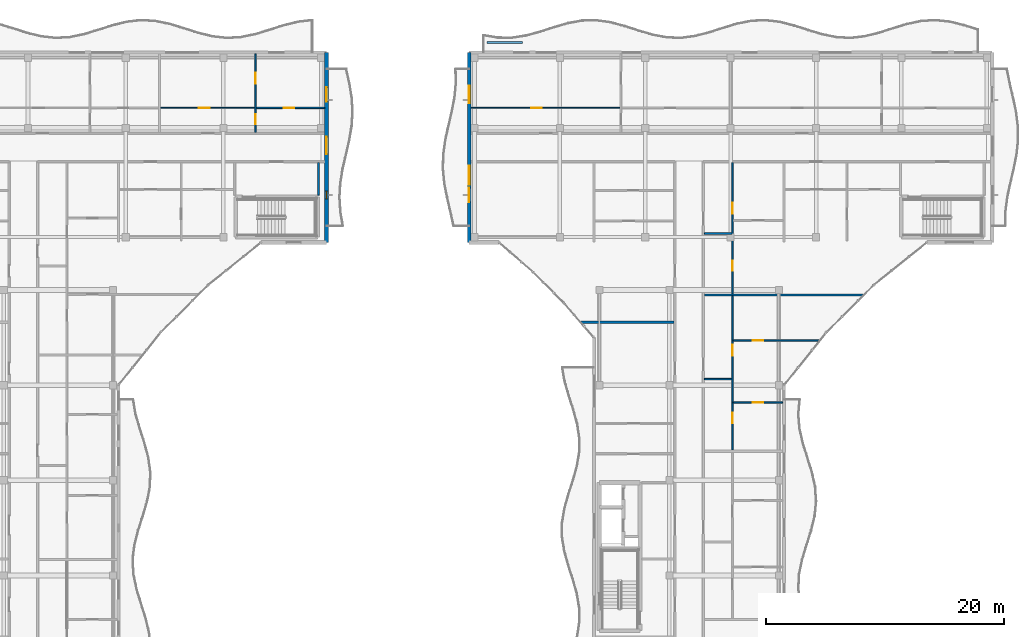
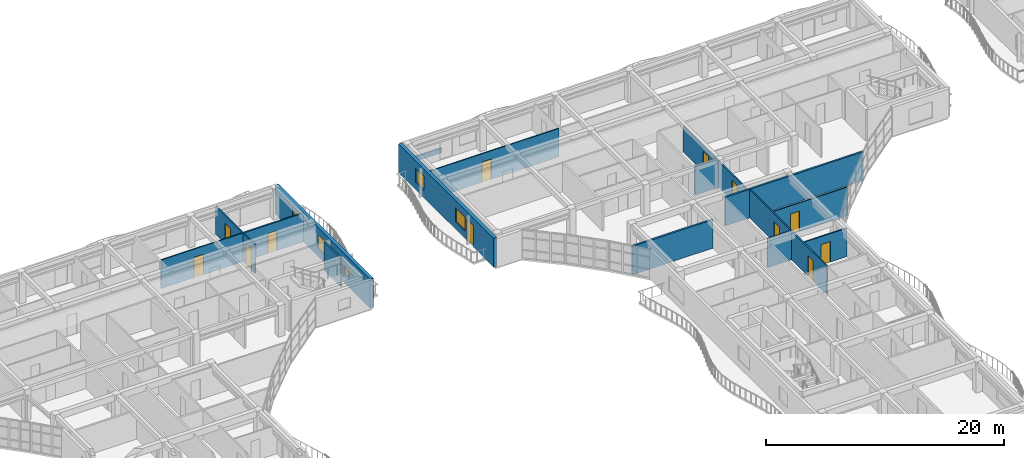
# One storey, part 40 of 76: 16 walls, 13 doors, 4 windows, 17 openings.
"""IFC4 building model written with IfcOpenShell, lengths in metres."""

import ifcopenshell
import ifcopenshell.guid

model = None  # the IFC model being written
_history = None  # IfcOwnerHistory: only IFC2X3 demands one
_inside = {}  # id of a spatial element -> (the spatial element, [elements in it])
_under = {}  # id of a project, library or spatial element -> (it, [spatial elements below it])
_declared = {}  # id of a project -> (the project, [libraries it declares])
_typed = {}  # id of a type object -> (the type object, [elements of that type])
_made_of = {}  # id of a material, layer set ... -> (it, [elements and type objects made of it])


def new_model(schema):
    """Start an empty IFC model of exactly this schema.

    Asked for "IFC4X3", IfcOpenShell would pick the latest addendum, in which some entities
    have other attributes; the version numbers below select the first issue.
    IFC2X3 requires an IfcOwnerHistory on every rooted entity: one is made here for all.
    """
    global model, _history
    if schema == "IFC4X3":
        model = ifcopenshell.file(schema_version=(4, 3, 0, 0))
    else:
        model = ifcopenshell.file(schema=schema)
    _inside.clear()
    _under.clear()
    _declared.clear()
    _typed.clear()
    _made_of.clear()
    _history = None
    if model.schema == "IFC2X3":
        org = make("IfcOrganization", Name="unknown")
        user = make(
            "IfcPersonAndOrganization",
            ThePerson=make("IfcPerson", FamilyName="unknown"),
            TheOrganization=org,
        )
        app = make(
            "IfcApplication",
            ApplicationDeveloper=org,
            Version="unknown",
            ApplicationFullName="unknown",
            ApplicationIdentifier="unknown",
        )
        _history = make(
            "IfcOwnerHistory",
            OwningUser=user,
            OwningApplication=app,
            ChangeAction="ADDED",
            CreationDate=0,
        )
    return model


def make(cls, **values):
    """One entity of the class cls with the attributes given. An attribute that is None is left unset."""
    return model.create_entity(
        cls, **{name: value for name, value in values.items() if value is not None}
    )


def rooted(cls, **values):
    """An entity with a GlobalId (a new one), such as an element, a storey or a relation."""
    return make(cls, GlobalId=ifcopenshell.guid.new(), OwnerHistory=_history, **values)


def si_unit(unit_type, name, prefix=None):
    """IfcSIUnit, for example si_unit("LENGTHUNIT", "METRE", prefix="MILLI")."""
    return make("IfcSIUnit", UnitType=unit_type, Prefix=prefix, Name=name)


def assignment(units):
    """IfcUnitAssignment: the units of a project."""
    return None if units is None else make("IfcUnitAssignment", Units=units)


def point(xyz):
    """IfcCartesianPoint."""
    return None if xyz is None else make("IfcCartesianPoint", Coordinates=xyz)


def direction(xyz):
    """IfcDirection."""
    return None if xyz is None else make("IfcDirection", DirectionRatios=xyz)


def frame(location, z_axis=None, x_axis=None):
    """IfcAxis2Placement3D, a coordinate frame: its origin and axes. An axis left out is left unset."""
    return make(
        "IfcAxis2Placement3D",
        Location=point(location),
        Axis=direction(z_axis),
        RefDirection=direction(x_axis),
    )


def frame_2d(location, x_axis=None):
    """IfcAxis2Placement2D, a coordinate frame in the plane: its origin and x axis."""
    return make(
        "IfcAxis2Placement2D", Location=point(location), RefDirection=direction(x_axis)
    )


def origin():
    """The frame at (0, 0, 0) with its axes left unset."""
    return frame((0.0, 0.0, 0.0))


def place(relative_to, where):
    """IfcLocalPlacement: puts the frame where relative to a parent placement (None: the world)."""
    return make(
        "IfcLocalPlacement", PlacementRelTo=relative_to, RelativePlacement=where
    )


def context(
    kind, dimensions, precision=None, world=None, true_north=None, identifier=None
):
    """IfcGeometricRepresentationContext, for example the 3D "Model" context."""
    return make(
        "IfcGeometricRepresentationContext",
        ContextIdentifier=identifier,
        ContextType=kind,
        CoordinateSpaceDimension=dimensions,
        Precision=precision,
        WorldCoordinateSystem=world,
        TrueNorth=true_north,
    )


def subcontext(parent, identifier, kind, view, scale=None):
    """IfcGeometricRepresentationSubContext, for example "Body" below "Model"."""
    return make(
        "IfcGeometricRepresentationSubContext",
        ContextIdentifier=identifier,
        ContextType=kind,
        ParentContext=parent,
        TargetScale=scale,
        TargetView=view,
    )


def project(units=None, contexts=None):
    """IfcProject with its units and contexts."""
    return rooted(
        "IfcProject",
        Name="project",
        RepresentationContexts=contexts,
        UnitsInContext=assignment(units),
    )


def spatial(cls, under=None, at=None, **own):
    """A site, building, storey or space (cls), placed at a placement, below another one or the project."""
    s = rooted(cls, ObjectPlacement=at, **own)
    if under is not None:
        _under.setdefault(under.id(), (under, []))[1].append(s)
    return s


def profile(cls, at=None, kind="AREA", **sizes):
    """A parametric profile (cls). Its sizes go by their IFC names, for example OverallWidth=200.0."""
    return make(cls, ProfileType=kind, Position=at, **sizes)


def rectangle(**sizes):
    """IfcRectangleProfileDef."""
    return profile("IfcRectangleProfileDef", **sizes)


def extrude(swept, where, along, depth):
    """IfcExtrudedAreaSolid: the profile swept, set in the frame where, extruded along a direction by depth."""
    return make(
        "IfcExtrudedAreaSolid",
        SweptArea=swept,
        Position=where,
        ExtrudedDirection=direction(along),
        Depth=depth,
    )


def shape(context_of_items, identifier, shape_type, items):
    """IfcShapeRepresentation: the items that make up one representation, for example the "Body"."""
    return make(
        "IfcShapeRepresentation",
        ContextOfItems=context_of_items,
        RepresentationIdentifier=identifier,
        RepresentationType=shape_type,
        Items=items,
    )


def material(Name=None, Category=None):
    """IfcMaterial."""
    return make("IfcMaterial", Name=Name, Category=Category)


def layer(
    of_material, thickness, ventilated=None, Name=None, Category=None, Priority=None
):
    """IfcMaterialLayer: one layer of a wall or slab, of a material (None: an air gap)."""
    return make(
        "IfcMaterialLayer",
        Material=of_material,
        LayerThickness=thickness,
        IsVentilated=ventilated,
        Name=Name,
        Category=Category,
        Priority=Priority,
    )


def layer_set(layers, Name=None):
    """IfcMaterialLayerSet."""
    return make("IfcMaterialLayerSet", MaterialLayers=layers, LayerSetName=Name)


def made_of(thing, what):
    """Note that an element or type object is made of a material, layer set ...; save() writes the relation."""
    if what is not None:
        _made_of.setdefault(what.id(), (what, []))[1].append(thing)
    return thing


def type_object(cls, material=None, **own):
    """A type object (cls), such as IfcWallType, which elements share."""
    return made_of(rooted(cls, **own), material)


def element(
    cls,
    number,
    at=None,
    inside=None,
    cuts=None,
    type_object=None,
    material=None,
    context=None,
    identifier="Body",
    shape_type=None,
    held_by="IfcProductDefinitionShape",
    body=None,
    shapes=None,
    **own,
):
    """One element of the class cls, such as IfcWall. Its Tag is "e" and its number.

    at: its placement. inside: the storey or other place that contains it. cuts: it is an
    opening in that element (IfcRelVoidsElement). A single representation is given by context,
    identifier, shape_type and body (its items); several are given by shapes. held_by: the class
    of the entity that holds the representations. save() writes the other relations.
    """
    e = rooted(cls, Tag="e%d" % number, ObjectPlacement=at, **own)
    if body is not None:
        shapes = [shape(context, identifier, shape_type, body)]
    if shapes is not None:
        e.Representation = make(held_by, Representations=shapes)
    if inside is not None:
        _inside.setdefault(inside.id(), (inside, []))[1].append(e)
    if cuts is not None:
        rooted(
            "IfcRelVoidsElement", RelatingBuildingElement=cuts, RelatedOpeningElement=e
        )
    if type_object is not None:
        _typed.setdefault(type_object.id(), (type_object, []))[1].append(e)
    return made_of(e, material)


def fill(opening, filler):
    """IfcRelFillsElement: the door or window that sits in an opening."""
    return rooted(
        "IfcRelFillsElement",
        RelatingOpeningElement=opening,
        RelatedBuildingElement=filler,
    )


def aggregate(whole, parts):
    """IfcRelAggregates: a whole, such as a stair, and the parts it consists of."""
    return rooted("IfcRelAggregates", RelatingObject=whole, RelatedObjects=parts)


def save(model, path):
    """Write the relations noted so far, then the file.

    IfcRelAggregates (storeys below a building ...), IfcRelContainedInSpatialStructure (elements
    in a storey), IfcRelDefinesByType, IfcRelAssociatesMaterial and IfcRelDeclares: one each for
    every whole, place, type object, material and project.
    """
    for whole, parts in _under.values():
        aggregate(whole, parts)
    for where, things in _inside.values():
        rooted(
            "IfcRelContainedInSpatialStructure",
            RelatedElements=things,
            RelatingStructure=where,
        )
    for kind, things in _typed.values():
        rooted("IfcRelDefinesByType", RelatedObjects=things, RelatingType=kind)
    for what, things in _made_of.values():
        rooted("IfcRelAssociatesMaterial", RelatedObjects=things, RelatingMaterial=what)
    for by, libraries in _declared.values():
        rooted("IfcRelDeclares", RelatingContext=by, RelatedDefinitions=libraries)
    model.write(path)


model = new_model("IFC4")

# Units and contexts
model_context = context("Model", 3, precision=1e-05, world=origin(), true_north=direction((0.0, 1.0)))
body_context = subcontext(model_context, "Body", "Model", "MODEL_VIEW")
ifc_project = project(units=[si_unit("LENGTHUNIT", "METRE"), si_unit("AREAUNIT", "SQUARE_METRE"), si_unit("VOLUMEUNIT", "CUBIC_METRE"), si_unit("PLANEANGLEUNIT", "RADIAN"), si_unit("MASSUNIT", "GRAM", prefix="KILO")], contexts=[model_context])

# Site, building, storey
site_placement = place(None, origin())
site = spatial("IfcSite", under=ifc_project, at=site_placement, CompositionType="ELEMENT")
building_placement = place(site_placement, origin())
building = spatial("IfcBuilding", under=site, at=building_placement, Name="Keldmere Railside Commons", CompositionType="ELEMENT")
storey_placement = place(building_placement, frame((0.0, 0.0, 13.760009765625)))
storey = spatial("IfcBuildingStorey", under=building, at=storey_placement, Name="L04", CompositionType="ELEMENT", Elevation=13.760009765625)

# Walls
ifc_material_1 = material(Name="Acoustic Gypsum Board Partition", Category="gypsum")
ifc_layer_1 = layer(ifc_material_1, 0.179931640625, Name="Acoustic Demising Partition 180")
ifc_layer_set_1 = layer_set([ifc_layer_1], Name="Acoustic Gypsum Board Partition")
wall_type_1 = type_object("IfcWallType", Name="Acoustic Demising Partition 180", PredefinedType="PARTITIONING", material=ifc_layer_set_1)
wall_1_placement = place(storey_placement, frame((113.280029296875, 95.60009765625, 0.0), z_axis=(0.0, 0.0, 1.0), x_axis=(1.0, 0.0, 0.0)))
element("IfcWall", 1, at=wall_1_placement, inside=storey, type_object=wall_type_1, Name="IW-1 IW-L04-1065", PredefinedType="PARTITIONING", context=body_context, shape_type="SweptSolid", body=[
    extrude(rectangle(XDim=13.387451171875, YDim=0.179931640625, at=frame_2d((6.69384765625, 0.0))), origin(), (0.0, 0.0, 1.0), 2.93505859375),
])
wall_2_placement = place(storey_placement, frame((102.929443359375, 93.300048828125, 0.0), z_axis=(0.0, 0.0, 1.0), x_axis=(1.0, 0.0, 0.0)))
element("IfcWall", 2, at=wall_2_placement, inside=storey, type_object=wall_type_1, Name="IW-1 IW-L04-1087", PredefinedType="PARTITIONING", context=body_context, shape_type="SweptSolid", body=[
    extrude(rectangle(XDim=7.79052734375, YDim=0.179931640625, at=frame_2d((3.895263671875, 0.0))), origin(), (0.0, 0.0, 1.0), 2.93505859375),
])

# Wall, openings, doors
ifc_layer_2 = layer(ifc_material_1, 0.1201171875, Name="Apartment Interior Partition 120")
ifc_layer_set_2 = layer_set([ifc_layer_2], Name="Acoustic Gypsum Board Partition")
wall_type_2 = type_object("IfcWallType", Name="Apartment Interior Partition 120", PredefinedType="PARTITIONING", material=ifc_layer_set_2)
wall_3_placement = place(storey_placement, frame((75.5400390625, 109.280029296875, 0.0), z_axis=(0.0, 0.0, 1.0), x_axis=(0.0, 1.0, 0.0)))
wall_3 = element("IfcWall", 3, at=wall_3_placement, inside=storey, type_object=wall_type_2, Name="IW-4 IW-L04-0670", PredefinedType="PARTITIONING", context=body_context, shape_type="SweptSolid", body=[
    extrude(rectangle(XDim=6.599853515625, YDim=0.1201171875, at=frame_2d((3.2998046875, 0.0))), origin(), (0.0, 0.0, 1.0), 2.93505859375),
])
opening_1_placement = place(wall_3_placement, frame((0.656005859375, 0.0, 0.0)))
opening_1 = element("IfcOpeningElement", 4, at=opening_1_placement, cuts=wall_3, Name="Opening ID-04", PredefinedType="OPENING", context=body_context, shape_type="SweptSolid", body=[
    extrude(rectangle(XDim=0.860107421875, YDim=2.10009765625, at=frame_2d((0.43017578125, 1.050048828125))), frame((0.0, 0.070068359375, 0.0), z_axis=(0.0, -1.0, 0.0), x_axis=(1.0, 0.0, 0.0)), (0.0, 0.0, 1.0), 0.14013671875),
])
opening_2_placement = place(wall_3_placement, frame((4.097412109375, 0.0, 0.0)))
opening_2 = element("IfcOpeningElement", 5, at=opening_2_placement, cuts=wall_3, Name="Opening ID-01", PredefinedType="OPENING", context=body_context, shape_type="SweptSolid", body=[
    extrude(rectangle(XDim=0.89990234375, YDim=2.10009765625, at=frame_2d((0.449951171875, 1.050048828125))), frame((0.0, 0.070068359375, 0.0), z_axis=(0.0, -1.0, 0.0), x_axis=(1.0, 0.0, 0.0)), (0.0, 0.0, 1.0), 0.14013671875),
])
ifc_material_2 = material(Name="Engineered Oak Timber", Category="wood")
door_type_1 = type_object("IfcDoorType", Name="Apartment Bathroom Door 860x2100", OperationType="NOTDEFINED", PredefinedType="DOOR", material=ifc_material_2)
door_1_placement = place(opening_1_placement, origin())
door_1 = element("IfcDoor", 6, at=door_1_placement, inside=storey, type_object=door_type_1, Name="ID-04 IDR-L04-0561", OperationType="SINGLE_SWING_LEFT", OverallHeight=2.10009765625, OverallWidth=0.860107421875, PredefinedType="DOOR", context=body_context, shape_type="SweptSolid", body=[
    extrude(rectangle(XDim=0.860107421875, YDim=2.10009765625, at=frame_2d((0.43017578125, 1.050048828125))), frame((0.0, 0.02490234375, 0.0), z_axis=(0.0, -1.0, 0.0), x_axis=(1.0, 0.0, 0.0)), (0.0, 0.0, 1.0), 0.050048828125),
])
fill(opening_1, door_1)
door_type_2 = type_object("IfcDoorType", Name="Primary Bedroom Door 900x2100", OperationType="NOTDEFINED", PredefinedType="DOOR", material=ifc_material_2)
door_2_placement = place(opening_2_placement, origin())
door_2 = element("IfcDoor", 7, at=door_2_placement, inside=storey, type_object=door_type_2, Name="ID-01 IDR-L04-0562", OperationType="SINGLE_SWING_RIGHT", OverallHeight=2.10009765625, OverallWidth=0.89990234375, PredefinedType="DOOR", context=body_context, shape_type="SweptSolid", body=[
    extrude(rectangle(XDim=0.89990234375, YDim=2.10009765625, at=frame_2d((0.449951171875, 1.050048828125))), frame((0.0, 0.02490234375, 0.0), z_axis=(0.0, -1.0, 0.0), x_axis=(1.0, 0.0, 0.0)), (0.0, 0.0, 1.0), 0.050048828125),
])
fill(opening_2, door_2)

wall_4_placement = place(storey_placement, frame((115.659912109375, 82.5400390625, 0.0), z_axis=(0.0, 0.0, 1.0), x_axis=(0.0, 1.0, 0.0)))
wall_4 = element("IfcWall", 8, at=wall_4_placement, inside=storey, type_object=wall_type_2, Name="IW-4 IW-L04-1070", PredefinedType="PARTITIONING", context=body_context, shape_type="SweptSolid", body=[
    extrude(rectangle(XDim=12.969970703125, YDim=0.1201171875, at=frame_2d((6.48486328125, 0.0))), origin(), (0.0, 0.0, 1.0), 2.93505859375),
])
opening_3_placement = place(wall_4_placement, frame((2.2685546875, 0.0, 0.0)))
opening_3 = element("IfcOpeningElement", 9, at=opening_3_placement, cuts=wall_4, Name="Opening ID-04", PredefinedType="OPENING", context=body_context, shape_type="SweptSolid", body=[
    extrude(rectangle(XDim=0.860107421875, YDim=2.10009765625, at=frame_2d((0.43017578125, 1.050048828125))), frame((0.0, 0.070068359375, 0.0), z_axis=(0.0, -1.0, 0.0), x_axis=(1.0, 0.0, 0.0)), (0.0, 0.0, 1.0), 0.14013671875),
])
opening_4_placement = place(wall_4_placement, frame((7.929931640625, 0.0, 0.0)))
opening_4 = element("IfcOpeningElement", 10, at=opening_4_placement, cuts=wall_4, Name="Opening ID-03", PredefinedType="OPENING", context=body_context, shape_type="SweptSolid", body=[
    extrude(rectangle(XDim=0.919921875, YDim=2.10009765625, at=frame_2d((0.4599609375, 1.050048828125))), frame((0.0, 0.070068359375, 0.0), z_axis=(0.0, -1.0, 0.0), x_axis=(1.0, 0.0, 0.0)), (0.0, 0.0, 1.0), 0.14013671875),
])
door_3_placement = place(opening_3_placement, origin())
door_3 = element("IfcDoor", 11, at=door_3_placement, inside=storey, type_object=door_type_1, Name="ID-04 IDR-L04-0935", OperationType="SINGLE_SWING_LEFT", OverallHeight=2.10009765625, OverallWidth=0.860107421875, PredefinedType="DOOR", context=body_context, shape_type="SweptSolid", body=[
    extrude(rectangle(XDim=0.860107421875, YDim=2.10009765625, at=frame_2d((0.43017578125, 1.050048828125))), frame((0.0, 0.02490234375, 0.0), z_axis=(0.0, -1.0, 0.0), x_axis=(1.0, 0.0, 0.0)), (0.0, 0.0, 1.0), 0.050048828125),
])
fill(opening_3, door_3)
door_type_3 = type_object("IfcDoorType", Name="Kitchen Pocket-Frame Swing Door 920x2100", OperationType="NOTDEFINED", PredefinedType="DOOR", material=ifc_material_2)
door_4_placement = place(opening_4_placement, origin())
door_4 = element("IfcDoor", 12, at=door_4_placement, inside=storey, type_object=door_type_3, Name="ID-03 IDR-L04-0936", OperationType="SINGLE_SWING_RIGHT", OverallHeight=2.10009765625, OverallWidth=0.919921875, PredefinedType="DOOR", context=body_context, shape_type="SweptSolid", body=[
    extrude(rectangle(XDim=0.919921875, YDim=2.10009765625, at=frame_2d((0.4599609375, 1.050048828125))), frame((0.0, 0.02490234375, 0.0), z_axis=(0.0, -1.0, 0.0), x_axis=(1.0, 0.0, 0.0)), (0.0, 0.0, 1.0), 0.050048828125),
])
fill(opening_4, door_4)

# Wall, opening, door
wall_5_placement = place(storey_placement, frame((115.719970703125, 86.56005859375, 0.0), z_axis=(0.0, 0.0, 1.0), x_axis=(1.0, 0.0, 0.0)))
wall_5 = element("IfcWall", 13, at=wall_5_placement, inside=storey, type_object=wall_type_2, Name="IW-4 IW-L04-1072", PredefinedType="PARTITIONING", context=body_context, shape_type="SweptSolid", body=[
    extrude(rectangle(XDim=4.150146484375, YDim=0.1201171875, at=frame_2d((2.0751953125, 0.0))), origin(), (0.0, 0.0, 1.0), 2.93505859375),
])
opening_5_placement = place(wall_5_placement, frame((1.625, 0.0, 0.0)))
opening_5 = element("IfcOpeningElement", 14, at=opening_5_placement, cuts=wall_5, Name="Opening ID-01", PredefinedType="OPENING", context=body_context, shape_type="SweptSolid", body=[
    extrude(rectangle(XDim=0.89990234375, YDim=2.10009765625, at=frame_2d((0.449951171875, 1.050048828125))), frame((0.0, 0.070068359375, 0.0), z_axis=(0.0, -1.0, 0.0), x_axis=(1.0, 0.0, 0.0)), (0.0, 0.0, 1.0), 0.14013671875),
])
door_5_placement = place(opening_5_placement, origin())
door_5 = element("IfcDoor", 15, at=door_5_placement, inside=storey, type_object=door_type_2, Name="ID-01 IDR-L04-0938", OperationType="SINGLE_SWING_RIGHT", OverallHeight=2.10009765625, OverallWidth=0.89990234375, PredefinedType="DOOR", context=body_context, shape_type="SweptSolid", body=[
    extrude(rectangle(XDim=0.89990234375, YDim=2.10009765625, at=frame_2d((0.449951171875, 1.050048828125))), frame((0.0, 0.02490234375, 0.0), z_axis=(0.0, -1.0, 0.0), x_axis=(1.0, 0.0, 0.0)), (0.0, 0.0, 1.0), 0.050048828125),
])
fill(opening_5, door_5)

wall_6_placement = place(storey_placement, frame((115.719970703125, 91.75, 0.0), z_axis=(0.0, 0.0, 1.0), x_axis=(1.0, 0.0, 0.0)))
wall_6 = element("IfcWall", 16, at=wall_6_placement, inside=storey, type_object=wall_type_2, Name="IW-4 IW-L04-1073", PredefinedType="PARTITIONING", context=body_context, shape_type="SweptSolid", body=[
    extrude(rectangle(XDim=7.2373046875, YDim=0.1201171875, at=frame_2d((3.61865234375, 0.0))), origin(), (0.0, 0.0, 1.0), 2.93505859375),
])
opening_6_placement = place(wall_6_placement, frame((1.635009765625, 0.0, 0.0)))
opening_6 = element("IfcOpeningElement", 17, at=opening_6_placement, cuts=wall_6, Name="Opening ID-02", PredefinedType="OPENING", context=body_context, shape_type="SweptSolid", body=[
    extrude(rectangle(XDim=0.8798828125, YDim=2.10009765625, at=frame_2d((0.43994140625, 1.050048828125))), frame((0.0, 0.070068359375, 0.0), z_axis=(0.0, -1.0, 0.0), x_axis=(1.0, 0.0, 0.0)), (0.0, 0.0, 1.0), 0.14013671875),
])
door_type_4 = type_object("IfcDoorType", Name="Secondary Bedroom Door 880x2100", OperationType="NOTDEFINED", PredefinedType="DOOR", material=ifc_material_2)
door_6_placement = place(opening_6_placement, origin())
door_6 = element("IfcDoor", 18, at=door_6_placement, inside=storey, type_object=door_type_4, Name="ID-02 IDR-L04-0939", OperationType="SINGLE_SWING_LEFT", OverallHeight=2.10009765625, OverallWidth=0.8798828125, PredefinedType="DOOR", context=body_context, shape_type="SweptSolid", body=[
    extrude(rectangle(XDim=0.8798828125, YDim=2.10009765625, at=frame_2d((0.43994140625, 1.050048828125))), frame((0.0, 0.02490234375, 0.0), z_axis=(0.0, -1.0, 0.0), x_axis=(1.0, 0.0, 0.0)), (0.0, 0.0, 1.0), 0.050048828125),
])
fill(opening_6, door_6)

# Wall, openings, doors
wall_7_placement = place(storey_placement, frame((115.659912109375, 95.68994140625, 0.0), z_axis=(0.0, 0.0, 1.0), x_axis=(0.0, 1.0, 0.0)))
wall_7 = element("IfcWall", 19, at=wall_7_placement, inside=storey, type_object=wall_type_2, Name="IW-4 IW-L04-1074", PredefinedType="PARTITIONING", context=body_context, shape_type="SweptSolid", body=[
    extrude(rectangle(XDim=11.030029296875, YDim=0.1201171875, at=frame_2d((5.51513671875, 0.0))), origin(), (0.0, 0.0, 1.0), 2.679931640625),
])
opening_7_placement = place(wall_7_placement, frame((1.926513671875, 0.0, 0.0)))
opening_7 = element("IfcOpeningElement", 20, at=opening_7_placement, cuts=wall_7, Name="Opening ID-04", PredefinedType="OPENING", context=body_context, shape_type="SweptSolid", body=[
    extrude(rectangle(XDim=0.860107421875, YDim=2.10009765625, at=frame_2d((0.43017578125, 1.050048828125))), frame((0.0, 0.070068359375, 0.0), z_axis=(0.0, -1.0, 0.0), x_axis=(1.0, 0.0, 0.0)), (0.0, 0.0, 1.0), 0.14013671875),
])
opening_8_placement = place(wall_7_placement, frame((6.73876953125, 0.0, 0.0)))
opening_8 = element("IfcOpeningElement", 21, at=opening_8_placement, cuts=wall_7, Name="Opening ID-03", PredefinedType="OPENING", context=body_context, shape_type="SweptSolid", body=[
    extrude(rectangle(XDim=0.919921875, YDim=2.10009765625, at=frame_2d((0.4599609375, 1.050048828125))), frame((0.0, 0.070068359375, 0.0), z_axis=(0.0, -1.0, 0.0), x_axis=(1.0, 0.0, 0.0)), (0.0, 0.0, 1.0), 0.14013671875),
])
door_7_placement = place(opening_7_placement, origin())
door_7 = element("IfcDoor", 22, at=door_7_placement, inside=storey, type_object=door_type_1, Name="ID-04 IDR-L04-0940", OperationType="SINGLE_SWING_RIGHT", OverallHeight=2.10009765625, OverallWidth=0.860107421875, PredefinedType="DOOR", context=body_context, shape_type="SweptSolid", body=[
    extrude(rectangle(XDim=0.860107421875, YDim=2.10009765625, at=frame_2d((0.43017578125, 1.050048828125))), frame((0.0, 0.02490234375, 0.0), z_axis=(0.0, -1.0, 0.0), x_axis=(1.0, 0.0, 0.0)), (0.0, 0.0, 1.0), 0.050048828125),
])
fill(opening_7, door_7)
door_8_placement = place(opening_8_placement, origin())
door_8 = element("IfcDoor", 23, at=door_8_placement, inside=storey, type_object=door_type_3, Name="ID-03 IDR-L04-0941", OperationType="SINGLE_SWING_LEFT", OverallHeight=2.10009765625, OverallWidth=0.919921875, PredefinedType="DOOR", context=body_context, shape_type="SweptSolid", body=[
    extrude(rectangle(XDim=0.919921875, YDim=2.10009765625, at=frame_2d((0.4599609375, 1.050048828125))), frame((0.0, 0.02490234375, 0.0), z_axis=(0.0, -1.0, 0.0), x_axis=(1.0, 0.0, 0.0)), (0.0, 0.0, 1.0), 0.050048828125),
])
fill(opening_8, door_8)

# Wall
ifc_material_3 = material(Name="White Precast Concrete H-35 (C35/45)", Category="concrete")
ifc_layer_3 = layer(ifc_material_3, 0.169921875, Name="Balcony Planter Kerb Wall 170")
ifc_layer_set_3 = layer_set([ifc_layer_3], Name="White Precast Concrete H-35 (C35/45)")
wall_type_3 = type_object("IfcWallType", Name="Balcony Planter Kerb Wall 170", PredefinedType="PARAPET", material=ifc_layer_set_3)
wall_8_placement = place(storey_placement, frame((95.0, 116.85009765625, 0.0), z_axis=(0.0, 0.0, 1.0), x_axis=(1.0, 0.0, 0.0)))
element("IfcWall", 24, at=wall_8_placement, inside=storey, type_object=wall_type_3, Name="PW-2 PKBB-L04-0619", PredefinedType="PARAPET", context=body_context, shape_type="SweptSolid", body=[
    extrude(rectangle(XDim=3.0, YDim=0.169921875, at=frame_2d((1.5, 0.0))), origin(), (0.0, 0.0, 1.0), 0.449951171875),
])

# Wall, opening, door
ifc_layer_4 = layer(ifc_material_1, 0.10009765625, Name="Closet Light Partition 100")
ifc_layer_set_4 = layer_set([ifc_layer_4], Name="Acoustic Gypsum Board Partition")
wall_type_4 = type_object("IfcWallType", Name="Closet Light Partition 100", PredefinedType="PARTITIONING", material=ifc_layer_set_4)
wall_9_placement = place(storey_placement, frame((67.5400390625, 111.330078125, 0.0), z_axis=(0.0, 0.0, 1.0), x_axis=(1.0, 0.0, 0.0)))
wall_9 = element("IfcWall", 25, at=wall_9_placement, inside=storey, type_object=wall_type_4, Name="IW-6 IW-L04-0672", PredefinedType="PARTITIONING", context=body_context, shape_type="SweptSolid", body=[
    extrude(rectangle(XDim=7.93994140625, YDim=0.10009765625, at=frame_2d((3.969970703125, 0.0))), origin(), (0.0, 0.0, 1.0), 2.93505859375),
])
opening_9_placement = place(wall_9_placement, frame((3.199951171875, 0.0, 0.0)))
opening_9 = element("IfcOpeningElement", 26, at=opening_9_placement, cuts=wall_9, Name="Opening ID-03", PredefinedType="OPENING", context=body_context, shape_type="SweptSolid", body=[
    extrude(rectangle(XDim=0.919921875, YDim=2.10009765625, at=frame_2d((0.4599609375, 1.050048828125))), frame((0.0, 0.06005859375, 0.0), z_axis=(0.0, -1.0, 0.0), x_axis=(1.0, 0.0, 0.0)), (0.0, 0.0, 1.0), 0.1201171875),
])
door_9_placement = place(opening_9_placement, origin())
door_9 = element("IfcDoor", 27, at=door_9_placement, inside=storey, type_object=door_type_3, Name="ID-03 IDR-L04-0560", OperationType="SINGLE_SWING_RIGHT", OverallHeight=2.10009765625, OverallWidth=0.919921875, PredefinedType="DOOR", context=body_context, shape_type="SweptSolid", body=[
    extrude(rectangle(XDim=0.919921875, YDim=2.10009765625, at=frame_2d((0.4599609375, 1.050048828125))), frame((0.0, 0.02490234375, 0.0), z_axis=(0.0, -1.0, 0.0), x_axis=(1.0, 0.0, 0.0)), (0.0, 0.0, 1.0), 0.050048828125),
])
fill(opening_9, door_9)

wall_10_placement = place(storey_placement, frame((93.659912109375, 111.330078125, 0.0), z_axis=(0.0, 0.0, 1.0), x_axis=(1.0, 0.0, 0.0)))
wall_10 = element("IfcWall", 28, at=wall_10_placement, inside=storey, type_object=wall_type_4, Name="IW-6 IW-L04-1080", PredefinedType="PARTITIONING", context=body_context, shape_type="SweptSolid", body=[
    extrude(rectangle(XDim=12.550048828125, YDim=0.10009765625, at=frame_2d((6.27490234375, 0.0))), origin(), (0.0, 0.0, 1.0), 2.93505859375),
])
opening_10_placement = place(wall_10_placement, frame((5.0439453125, 0.0, 0.0)))
opening_10 = element("IfcOpeningElement", 29, at=opening_10_placement, cuts=wall_10, Name="Opening ID-03", PredefinedType="OPENING", context=body_context, shape_type="SweptSolid", body=[
    extrude(rectangle(XDim=0.919921875, YDim=2.10009765625, at=frame_2d((0.4599609375, 1.050048828125))), frame((0.0, 0.06005859375, 0.0), z_axis=(0.0, -1.0, 0.0), x_axis=(1.0, 0.0, 0.0)), (0.0, 0.0, 1.0), 0.1201171875),
])
door_10_placement = place(opening_10_placement, origin())
door_10 = element("IfcDoor", 30, at=door_10_placement, inside=storey, type_object=door_type_3, Name="ID-03 IDR-L04-0945", OperationType="SINGLE_SWING_LEFT", OverallHeight=2.10009765625, OverallWidth=0.919921875, PredefinedType="DOOR", context=body_context, shape_type="SweptSolid", body=[
    extrude(rectangle(XDim=0.919921875, YDim=2.10009765625, at=frame_2d((0.4599609375, 1.050048828125))), frame((0.0, 0.02490234375, 0.0), z_axis=(0.0, -1.0, 0.0), x_axis=(1.0, 0.0, 0.0)), (0.0, 0.0, 1.0), 0.050048828125),
])
fill(opening_10, door_10)

# Wall, openings, door, windows
ifc_material_4 = material(Name="Concrete H-35 (C35/45)", Category="concrete")
ifc_layer_5 = layer(ifc_material_4, 0.320068359375, Name="Exterior Shear Wall 320")
ifc_layer_set_5 = layer_set([ifc_layer_5], Name="Concrete H-35 (C35/45)")
wall_type_5 = type_object("IfcWallType", Name="Exterior Shear Wall 320", PredefinedType="SHEAR", material=ifc_layer_set_5)
wall_11_placement = place(storey_placement, frame((81.5, 116.0, 0.0), z_axis=(0.0, 0.0, 1.0), x_axis=(0.0, -1.0, 0.0)))
wall_11 = element("IfcWall", 31, at=wall_11_placement, inside=storey, type_object=wall_type_5, Name="ESW-2 EXTC-L04-0356", PredefinedType="SHEAR", context=body_context, shape_type="SweptSolid", body=[
    extrude(rectangle(XDim=16.0, YDim=0.320068359375, at=frame_2d((8.0, 0.0))), origin(), (0.0, 0.0, 1.0), 2.97998046875),
])
opening_11_placement = place(wall_11_placement, frame((2.949951171875, 0.0, 0.0)))
opening_11 = element("IfcOpeningElement", 32, at=opening_11_placement, cuts=wall_11, Name="Opening BD-01", PredefinedType="OPENING", context=body_context, shape_type="SweptSolid", body=[
    extrude(rectangle(XDim=1.199951171875, YDim=2.199951171875, at=frame_2d((0.60009765625, 1.10009765625))), frame((0.0, 0.169921875, 0.0), z_axis=(0.0, -1.0, 0.0), x_axis=(1.0, 0.0, 0.0)), (0.0, 0.0, 1.0), 0.340087890625),
])
opening_12_placement = place(wall_11_placement, frame((7.10009765625, 0.0, 0.77001953125)))
opening_12 = element("IfcOpeningElement", 33, at=opening_12_placement, cuts=wall_11, Name="Opening WN-24", PredefinedType="OPENING", context=body_context, shape_type="SweptSolid", body=[
    extrude(rectangle(XDim=1.449951171875, YDim=1.449951171875, at=frame_2d((0.72509765625, 0.72509765625))), frame((0.0, 0.169921875, 0.0), z_axis=(0.0, -1.0, 0.0), x_axis=(1.0, 0.0, 0.0)), (0.0, 0.0, 1.0), 0.340087890625),
])
opening_13_placement = place(wall_11_placement, frame((11.675048828125, 0.0, 0.89990234375)))
opening_13 = element("IfcOpeningElement", 34, at=opening_13_placement, cuts=wall_11, Name="Opening WN-15", PredefinedType="OPENING", context=body_context, shape_type="SweptSolid", body=[
    extrude(rectangle(XDim=0.64990234375, YDim=0.949951171875, at=frame_2d((0.324951171875, 0.47509765625))), frame((0.0, 0.169921875, 0.0), z_axis=(0.0, -1.0, 0.0), x_axis=(1.0, 0.0, 0.0)), (0.0, 0.0, 1.0), 0.340087890625),
])
ifc_material_5 = material(Name="Thermally Broken Aluminium", Category="aluminium")
door_type_5 = type_object("IfcDoorType", Name="Apartment Living Wave-Balcony Glazed Door 1200x2200", OperationType="NOTDEFINED", PredefinedType="DOOR", material=ifc_material_5)
door_11_placement = place(opening_11_placement, origin())
door_11 = element("IfcDoor", 35, at=door_11_placement, inside=storey, type_object=door_type_5, Name="BD-01 DR-L04-0079", OperationType="SINGLE_SWING_LEFT", OverallHeight=2.199951171875, OverallWidth=1.199951171875, PredefinedType="DOOR", context=body_context, shape_type="SweptSolid", body=[
    extrude(rectangle(XDim=1.199951171875, YDim=2.199951171875, at=frame_2d((0.60009765625, 1.10009765625))), frame((0.0, 0.02490234375, 0.0), z_axis=(0.0, -1.0, 0.0), x_axis=(1.0, 0.0, 0.0)), (0.0, 0.0, 1.0), 0.050048828125),
])
fill(opening_11, door_11)
ifc_material_6 = material(Name="Low-E Insulated Double Glazing", Category="glass")
window_type_1 = type_object("IfcWindowType", Name="Exterior Bathroom Frosted Window 650x950", PartitioningType="SINGLE_PANEL", PredefinedType="WINDOW", material=ifc_material_6)
window_1_placement = place(opening_13_placement, origin())
window_1 = element("IfcWindow", 36, at=window_1_placement, inside=storey, type_object=window_type_1, Name="WN-15 WIN-L04-0236", OverallHeight=0.949951171875, OverallWidth=0.64990234375, PartitioningType="SINGLE_PANEL", PredefinedType="WINDOW", context=body_context, shape_type="SweptSolid", body=[
    extrude(rectangle(XDim=0.64990234375, YDim=0.949951171875, at=frame_2d((0.324951171875, 0.47509765625))), frame((0.0, 0.030029296875, 0.0), z_axis=(0.0, -1.0, 0.0), x_axis=(1.0, 0.0, 0.0)), (0.0, 0.0, 1.0), 0.06005859375),
])
fill(opening_13, window_1)
window_type_2 = type_object("IfcWindowType", Name="Setback Terrace Bedroom Window 1450x1450", PartitioningType="SINGLE_PANEL", PredefinedType="WINDOW", material=ifc_material_6)
window_2_placement = place(opening_12_placement, origin())
window_2 = element("IfcWindow", 37, at=window_2_placement, inside=storey, type_object=window_type_2, Name="WN-24 WIN-L04-0235", OverallHeight=1.449951171875, OverallWidth=1.449951171875, PartitioningType="SINGLE_PANEL", PredefinedType="WINDOW", context=body_context, shape_type="SweptSolid", body=[
    extrude(rectangle(XDim=1.449951171875, YDim=1.449951171875, at=frame_2d((0.72509765625, 0.72509765625))), frame((0.0, 0.030029296875, 0.0), z_axis=(0.0, -1.0, 0.0), x_axis=(1.0, 0.0, 0.0)), (0.0, 0.0, 1.0), 0.06005859375),
])
fill(opening_12, window_2)

wall_12_placement = place(storey_placement, frame((93.5, 100.0, 0.0), z_axis=(0.0, 0.0, 1.0), x_axis=(0.0, 1.0, 0.0)))
wall_12 = element("IfcWall", 38, at=wall_12_placement, inside=storey, type_object=wall_type_5, Name="ESW-2 EXTB-L04-0616", PredefinedType="SHEAR", context=body_context, shape_type="SweptSolid", body=[
    extrude(rectangle(XDim=16.0, YDim=0.320068359375, at=frame_2d((8.0, 0.0))), origin(), (0.0, 0.0, 1.0), 2.97998046875),
])
opening_14_placement = place(wall_12_placement, frame((3.39990234375, 0.0, 0.0)))
opening_14 = element("IfcOpeningElement", 39, at=opening_14_placement, cuts=wall_12, Name="Opening BD-01", PredefinedType="OPENING", context=body_context, shape_type="SweptSolid", body=[
    extrude(rectangle(XDim=1.199951171875, YDim=2.199951171875, at=frame_2d((0.60009765625, 1.10009765625))), frame((0.0, 0.169921875, 0.0), z_axis=(0.0, -1.0, 0.0), x_axis=(1.0, 0.0, 0.0)), (0.0, 0.0, 1.0), 0.340087890625),
])
opening_15_placement = place(wall_12_placement, frame((4.85009765625, 0.0, 0.77001953125)))
opening_15 = element("IfcOpeningElement", 40, at=opening_15_placement, cuts=wall_12, Name="Opening WN-04", PredefinedType="OPENING", context=body_context, shape_type="SweptSolid", body=[
    extrude(rectangle(XDim=1.60009765625, YDim=1.449951171875, at=frame_2d((0.800048828125, 0.72509765625))), frame((0.0, 0.169921875, 0.0), z_axis=(0.0, -1.0, 0.0), x_axis=(1.0, 0.0, 0.0)), (0.0, 0.0, 1.0), 0.340087890625),
])
opening_16_placement = place(wall_12_placement, frame((11.72509765625, 0.0, 0.77001953125)))
opening_16 = element("IfcOpeningElement", 41, at=opening_16_placement, cuts=wall_12, Name="Opening WN-24", PredefinedType="OPENING", context=body_context, shape_type="SweptSolid", body=[
    extrude(rectangle(XDim=1.449951171875, YDim=1.449951171875, at=frame_2d((0.72509765625, 0.72509765625))), frame((0.0, 0.169921875, 0.0), z_axis=(0.0, -1.0, 0.0), x_axis=(1.0, 0.0, 0.0)), (0.0, 0.0, 1.0), 0.340087890625),
])
door_12_placement = place(opening_14_placement, origin())
door_12 = element("IfcDoor", 42, at=door_12_placement, inside=storey, type_object=door_type_5, Name="BD-01 DR-L04-0158", OperationType="SINGLE_SWING_RIGHT", OverallHeight=2.199951171875, OverallWidth=1.199951171875, PredefinedType="DOOR", context=body_context, shape_type="SweptSolid", body=[
    extrude(rectangle(XDim=1.199951171875, YDim=2.199951171875, at=frame_2d((0.60009765625, 1.10009765625))), frame((0.0, 0.02490234375, 0.0), z_axis=(0.0, -1.0, 0.0), x_axis=(1.0, 0.0, 0.0)), (0.0, 0.0, 1.0), 0.050048828125),
])
fill(opening_14, door_12)
window_type_3 = type_object("IfcWindowType", Name="Living Room West Shaded Window 1600x1450", PartitioningType="SINGLE_PANEL", PredefinedType="WINDOW", material=ifc_material_6)
window_3_placement = place(opening_15_placement, origin())
window_3 = element("IfcWindow", 43, at=window_3_placement, inside=storey, type_object=window_type_3, Name="WN-04 WIN-L04-0430", OverallHeight=1.449951171875, OverallWidth=1.60009765625, PartitioningType="SINGLE_PANEL", PredefinedType="WINDOW", context=body_context, shape_type="SweptSolid", body=[
    extrude(rectangle(XDim=1.60009765625, YDim=1.449951171875, at=frame_2d((0.800048828125, 0.72509765625))), frame((0.0, 0.030029296875, 0.0), z_axis=(0.0, -1.0, 0.0), x_axis=(1.0, 0.0, 0.0)), (0.0, 0.0, 1.0), 0.06005859375),
])
fill(opening_15, window_3)
window_4_placement = place(opening_16_placement, origin())
window_4 = element("IfcWindow", 44, at=window_4_placement, inside=storey, type_object=window_type_2, Name="WN-24 WIN-L04-0431", OverallHeight=1.449951171875, OverallWidth=1.449951171875, PartitioningType="SINGLE_PANEL", PredefinedType="WINDOW", context=body_context, shape_type="SweptSolid", body=[
    extrude(rectangle(XDim=1.449951171875, YDim=1.449951171875, at=frame_2d((0.72509765625, 0.72509765625))), frame((0.0, 0.030029296875, 0.0), z_axis=(0.0, -1.0, 0.0), x_axis=(1.0, 0.0, 0.0)), (0.0, 0.0, 1.0), 0.06005859375),
])
fill(opening_16, window_4)

# Wall
ifc_layer_6 = layer(ifc_material_1, 0.14990234375, Name="Lobby Rated Partition 150")
ifc_layer_set_6 = layer_set([ifc_layer_6], Name="Acoustic Gypsum Board Partition")
wall_type_6 = type_object("IfcWallType", Name="Lobby Rated Partition 150", PredefinedType="PARTITIONING", material=ifc_layer_set_6)
wall_13_placement = place(storey_placement, frame((80.820068359375, 103.989990234375, 0.0), z_axis=(0.0, 0.0, 1.0), x_axis=(0.0, 1.0, 0.0)))
element("IfcWall", 45, at=wall_13_placement, inside=storey, type_object=wall_type_6, Name="IW-3 IW-L04-0647", PredefinedType="PARTITIONING", context=body_context, shape_type="SweptSolid", body=[
    extrude(rectangle(XDim=2.72998046875, YDim=0.14990234375, at=frame_2d((1.364990234375, 0.0))), origin(), (0.0, 0.0, 1.0), 2.93505859375),
])

# Wall, opening, door
ifc_layer_7 = layer(ifc_material_1, 0.139892578125, Name="Wet-Room Sanitary Partition 140")
ifc_layer_set_7 = layer_set([ifc_layer_7], Name="Acoustic Gypsum Board Partition")
wall_type_7 = type_object("IfcWallType", Name="Wet-Room Sanitary Partition 140", PredefinedType="PARTITIONING", material=ifc_layer_set_7)
wall_14_placement = place(storey_placement, frame((75.60009765625, 111.330078125, 0.0), z_axis=(0.0, 0.0, 1.0), x_axis=(1.0, 0.0, 0.0)))
wall_14 = element("IfcWall", 46, at=wall_14_placement, inside=storey, type_object=wall_type_7, Name="IW-5 IW-L04-0671", PredefinedType="PARTITIONING", context=body_context, shape_type="SweptSolid", body=[
    extrude(rectangle(XDim=5.739990234375, YDim=0.139892578125, at=frame_2d((2.8701171875, 0.0))), origin(), (0.0, 0.0, 1.0), 2.93505859375),
])
opening_17_placement = place(wall_14_placement, frame((2.320068359375, 0.0, 0.0)))
opening_17 = element("IfcOpeningElement", 47, at=opening_17_placement, cuts=wall_14, Name="Opening ID-06", PredefinedType="OPENING", context=body_context, shape_type="SweptSolid", body=[
    extrude(rectangle(XDim=0.85009765625, YDim=2.050048828125, at=frame_2d((0.425048828125, 1.02490234375))), frame((0.0, 0.079833984375, 0.0), z_axis=(0.0, -1.0, 0.0), x_axis=(1.0, 0.0, 0.0)), (0.0, 0.0, 1.0), 0.159912109375),
])
door_type_6 = type_object("IfcDoorType", Name="Storage Closet Door 850x2050", OperationType="NOTDEFINED", PredefinedType="DOOR", material=ifc_material_2)
door_13_placement = place(opening_17_placement, origin())
door_13 = element("IfcDoor", 48, at=door_13_placement, inside=storey, type_object=door_type_6, Name="ID-06 IDR-L04-0563", OperationType="SINGLE_SWING_LEFT", OverallHeight=2.050048828125, OverallWidth=0.85009765625, PredefinedType="DOOR", context=body_context, shape_type="SweptSolid", body=[
    extrude(rectangle(XDim=0.85009765625, YDim=2.050048828125, at=frame_2d((0.425048828125, 1.02490234375))), frame((0.0, 0.02490234375, 0.0), z_axis=(0.0, -1.0, 0.0), x_axis=(1.0, 0.0, 0.0)), (0.0, 0.0, 1.0), 0.050048828125),
])
fill(opening_17, door_13)

# Walls
for number, where, z_axis, x_axis, name in (
    (49, (113.280029296875, 88.510009765625, 0.0), (0.0, 0.0, 1.0), (1.0, 0.0, 0.0), "IW-5 IW-L04-1071"),
    (50, (113.280029296875, 100.760009765625, 0.0), (0.0, 0.0, 1.0), (1.0, 0.0, 0.0), "IW-5 IW-L04-1075"),
):
    element("IfcWall", number, at=place(storey_placement, frame(where, z_axis=z_axis, x_axis=x_axis)), inside=storey, type_object=wall_type_7, Name=name, PredefinedType="PARTITIONING", context=body_context, shape_type="SweptSolid", body=[
        extrude(rectangle(XDim=2.320068359375, YDim=0.139892578125, at=frame_2d((1.16015625, 0.0))), origin(), (0.0, 0.0, 1.0), 2.93505859375),
    ])

save(model, "model.ifc")
